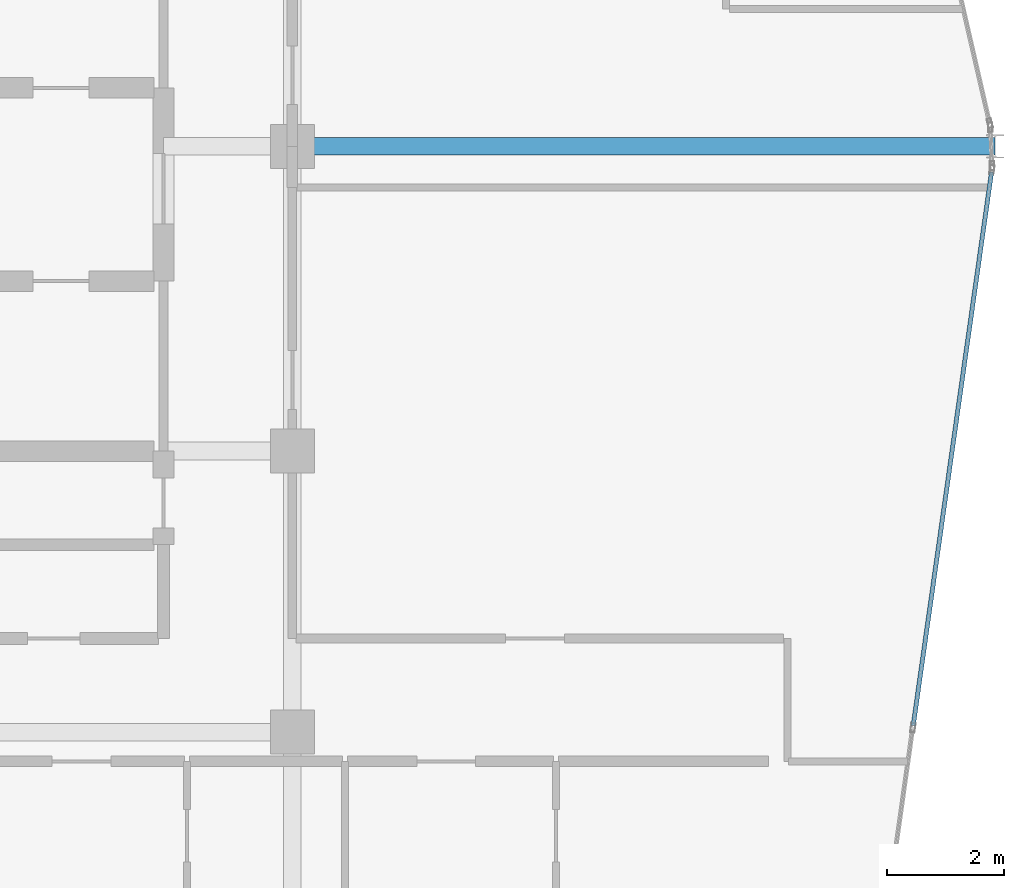
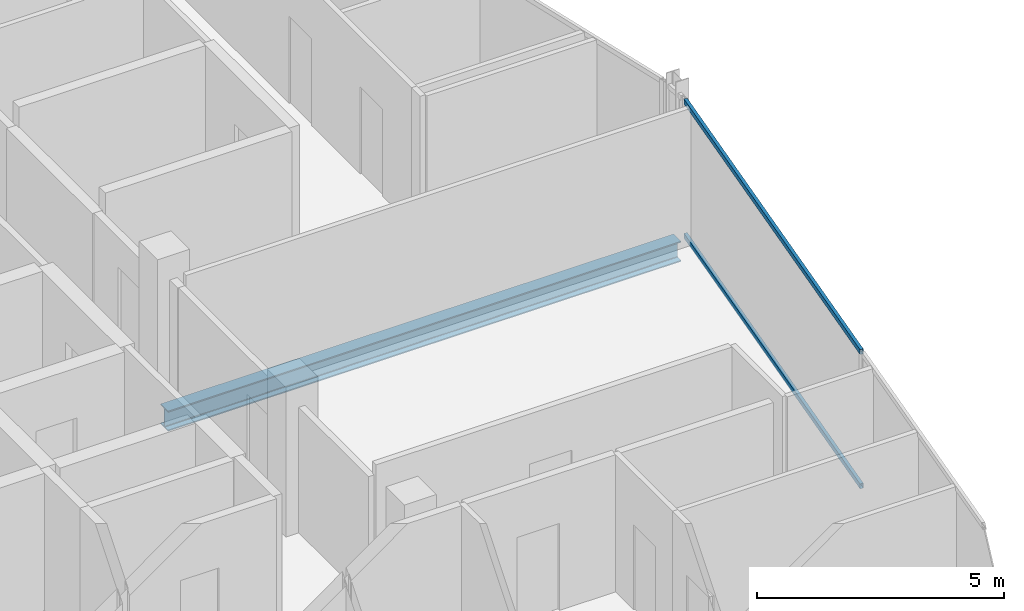
# One storey, part 15 of 31: 2 members, 1 beam, 1 element without a shape of its own.
"""IFC4 building model written with IfcOpenShell, lengths in metres."""

from ifc_helpers import new_model, si_unit, direction, frame, origin, origin_2d, place, context, subcontext, project, spatial, hollow_rectangle, i_section, extrude, material, layer, layer_set, material_profile, profile_set, type_object, element, aggregate, save


model = new_model("IFC4")

# Units and contexts
model_context = context("Model", 3, precision=1e-05, world=origin(), true_north=direction((0.0, 1.0)))
body_context = subcontext(model_context, "Body", "Model", "MODEL_VIEW")
ifc_project = project(units=[si_unit("LENGTHUNIT", "METRE"), si_unit("AREAUNIT", "SQUARE_METRE"), si_unit("VOLUMEUNIT", "CUBIC_METRE"), si_unit("PLANEANGLEUNIT", "RADIAN"), si_unit("MASSUNIT", "GRAM", prefix="KILO")], contexts=[model_context])

# Site, building, storey
site_placement = place(None, origin())
site = spatial("IfcSite", under=ifc_project, at=site_placement, CompositionType="ELEMENT")
building_placement = place(site_placement, origin())
building = spatial("IfcBuilding", under=site, at=building_placement, Name="Keshet Zoharim Tower", CompositionType="ELEMENT")
storey_placement = place(building_placement, frame((0.0, 0.0, 276.89990234375)))
storey = spatial("IfcBuildingStorey", under=building, at=storey_placement, Name="L69", CompositionType="ELEMENT", Elevation=276.89990234375)

# Beam
ifc_material_1 = material(Name="Steel S355", Category="steel")
ifc_material_profile_1 = material_profile(ifc_material_1, i_section(OverallWidth=0.300048828125, OverallDepth=0.5, WebThickness=0.014404296875, FlangeThickness=0.028076171875, FilletRadius=0.027099609375, at=origin_2d()), Name="HEB500")
ifc_profile_set_1 = profile_set([ifc_material_profile_1], Name="Steel S355")
beam_type = type_object("IfcBeamType", Name="BM-MED-HB500", PredefinedType="BEAM", material=ifc_profile_set_1)
beam_placement = place(storey_placement, frame((33.0, 27.89990234375, -0.559814453125), z_axis=(1.0, 0.0, 0.0), x_axis=(0.0, 1.0, 0.0)))
element("IfcBeam", 1, at=beam_placement, inside=storey, type_object=beam_type, Name="L69 Primary Girder X-007", PredefinedType="BEAM", context=body_context, shape_type="SweptSolid", body=[
    extrude(i_section(OverallWidth=0.300048828125, OverallDepth=0.5, WebThickness=0.014404296875, FlangeThickness=0.028076171875, FilletRadius=0.027099609375, at=origin_2d()), origin(), (0.0, 0.0, 1.0), 12.0),
])

# Curtain wall, members
ifc_material_2 = material(Name="Aluminium 6063-T6", Category="aluminium")
ifc_layer = layer(ifc_material_2, 0.260009765625)
ifc_layer_set = layer_set([ifc_layer], Name="Aluminium 6063-T6")
curtain_wall_type = type_object("IfcCurtainWallType", Name="CW-SYS-06", PredefinedType="NOTDEFINED", material=ifc_layer_set)
curtain_wall_placement = place(storey_placement, origin())
curtain_wall = element("IfcCurtainWall", 2, at=curtain_wall_placement, inside=storey, type_object=curtain_wall_type, Name="L69 Unitised Curtain Wall 11", PredefinedType="NOTDEFINED")
ifc_material_profile_2 = material_profile(ifc_material_2, hollow_rectangle(XDim=0.074951171875, YDim=0.1201171875, WallThickness=0.00390625, at=origin_2d()), Name="TRN-75x120")
ifc_profile_set_2 = profile_set([ifc_material_profile_2], Name="Aluminium 6063-T6")
member_type = type_object("IfcMemberType", Name="CWT-T12", PredefinedType="USERDEFINED", material=ifc_profile_set_2)
member_1_placement = place(storey_placement, frame((44.938232421875, 27.462646484375, 0.03515625), z_axis=(-0.140150169695, -0.990130259074, 0.0), x_axis=(0.990130259074, -0.140150169695, 0.0)))
member_1 = element("IfcMember", 3, at=member_1_placement, type_object=member_type, Name="CW-06 transom 1.1", ObjectType="TRANSOM", PredefinedType="USERDEFINED", context=body_context, shape_type="SweptSolid", body=[
    extrude(hollow_rectangle(XDim=0.074951171875, YDim=0.1201171875, WallThickness=0.00390625, at=origin_2d()), origin(), (0.0, 0.0, 1.0), 9.546142578125),
])
member_2_placement = place(storey_placement, frame((44.938232421875, 27.462646484375, 3.35498046875), z_axis=(-0.140150169695, -0.990130259074, 0.0), x_axis=(0.990130259074, -0.140150169695, 0.0)))
member_2 = element("IfcMember", 4, at=member_2_placement, type_object=member_type, Name="CW-06 transom 1.2", ObjectType="TRANSOM", PredefinedType="USERDEFINED", context=body_context, shape_type="SweptSolid", body=[
    extrude(hollow_rectangle(XDim=0.074951171875, YDim=0.1201171875, WallThickness=0.00390625, at=origin_2d()), origin(), (0.0, 0.0, 1.0), 9.546142578125),
])
aggregate(curtain_wall, [member_1, member_2])

save(model, "model.ifc")
